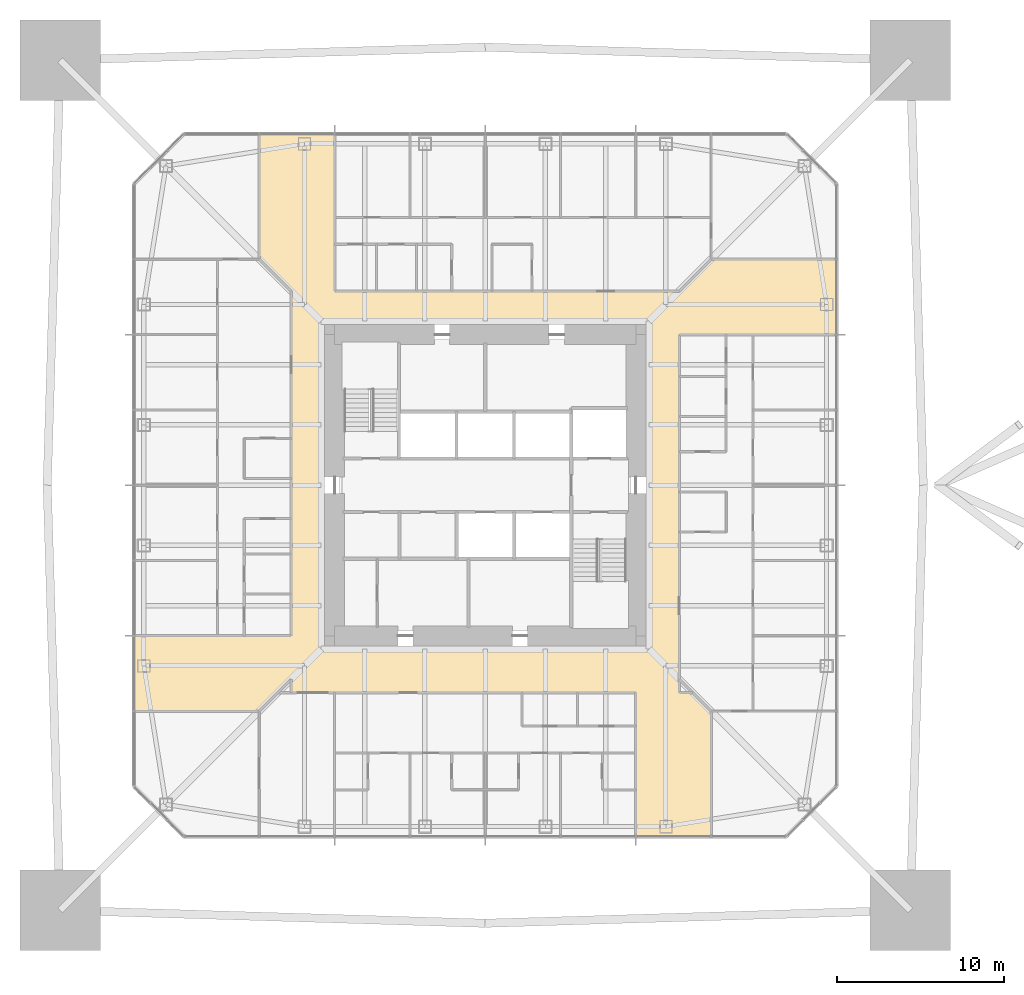
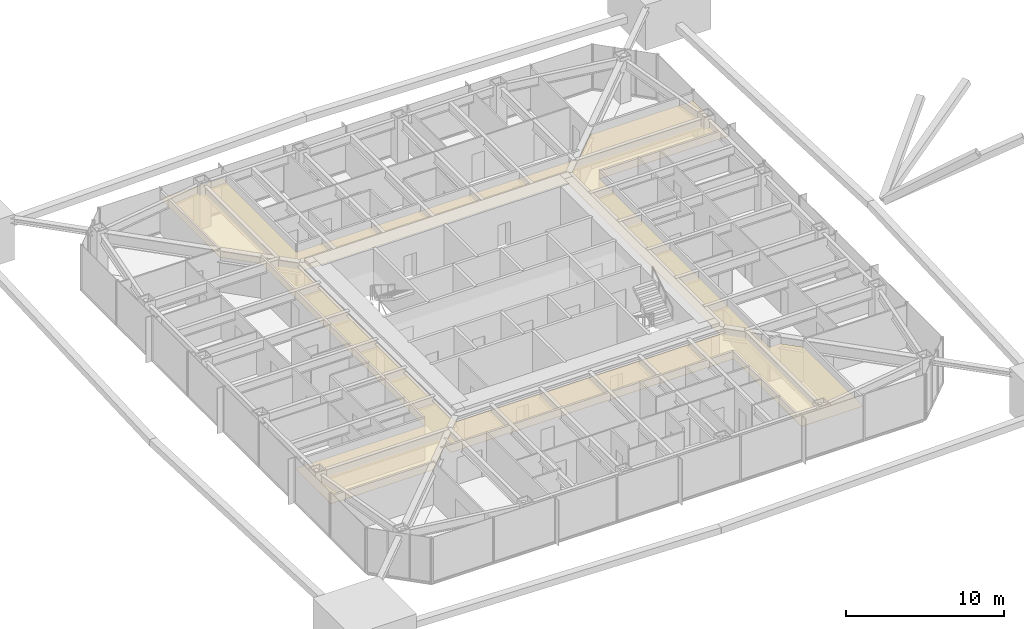
# One storey, part 24 of 27: 1 covering.
"""IFC4 building model written with IfcOpenShell, lengths in metres."""

import ifcopenshell
import ifcopenshell.guid

model = None  # the IFC model being written
_history = None  # IfcOwnerHistory: only IFC2X3 demands one
_inside = {}  # id of a spatial element -> (the spatial element, [elements in it])
_under = {}  # id of a project, library or spatial element -> (it, [spatial elements below it])
_declared = {}  # id of a project -> (the project, [libraries it declares])
_typed = {}  # id of a type object -> (the type object, [elements of that type])
_made_of = {}  # id of a material, layer set ... -> (it, [elements and type objects made of it])


def new_model(schema):
    """Start an empty IFC model of exactly this schema.

    Asked for "IFC4X3", IfcOpenShell would pick the latest addendum, in which some entities
    have other attributes; the version numbers below select the first issue.
    IFC2X3 requires an IfcOwnerHistory on every rooted entity: one is made here for all.
    """
    global model, _history
    if schema == "IFC4X3":
        model = ifcopenshell.file(schema_version=(4, 3, 0, 0))
    else:
        model = ifcopenshell.file(schema=schema)
    _inside.clear()
    _under.clear()
    _declared.clear()
    _typed.clear()
    _made_of.clear()
    _history = None
    if model.schema == "IFC2X3":
        org = make("IfcOrganization", Name="unknown")
        user = make(
            "IfcPersonAndOrganization",
            ThePerson=make("IfcPerson", FamilyName="unknown"),
            TheOrganization=org,
        )
        app = make(
            "IfcApplication",
            ApplicationDeveloper=org,
            Version="unknown",
            ApplicationFullName="unknown",
            ApplicationIdentifier="unknown",
        )
        _history = make(
            "IfcOwnerHistory",
            OwningUser=user,
            OwningApplication=app,
            ChangeAction="ADDED",
            CreationDate=0,
        )
    return model


def make(cls, **values):
    """One entity of the class cls with the attributes given. An attribute that is None is left unset."""
    return model.create_entity(
        cls, **{name: value for name, value in values.items() if value is not None}
    )


def rooted(cls, **values):
    """An entity with a GlobalId (a new one), such as an element, a storey or a relation."""
    return make(cls, GlobalId=ifcopenshell.guid.new(), OwnerHistory=_history, **values)


def si_unit(unit_type, name, prefix=None):
    """IfcSIUnit, for example si_unit("LENGTHUNIT", "METRE", prefix="MILLI")."""
    return make("IfcSIUnit", UnitType=unit_type, Prefix=prefix, Name=name)


def assignment(units):
    """IfcUnitAssignment: the units of a project."""
    return None if units is None else make("IfcUnitAssignment", Units=units)


def point(xyz):
    """IfcCartesianPoint."""
    return None if xyz is None else make("IfcCartesianPoint", Coordinates=xyz)


def direction(xyz):
    """IfcDirection."""
    return None if xyz is None else make("IfcDirection", DirectionRatios=xyz)


def frame(location, z_axis=None, x_axis=None):
    """IfcAxis2Placement3D, a coordinate frame: its origin and axes. An axis left out is left unset."""
    return make(
        "IfcAxis2Placement3D",
        Location=point(location),
        Axis=direction(z_axis),
        RefDirection=direction(x_axis),
    )


def origin():
    """The frame at (0, 0, 0) with its axes left unset."""
    return frame((0.0, 0.0, 0.0))


def place(relative_to, where):
    """IfcLocalPlacement: puts the frame where relative to a parent placement (None: the world)."""
    return make(
        "IfcLocalPlacement", PlacementRelTo=relative_to, RelativePlacement=where
    )


def context(
    kind, dimensions, precision=None, world=None, true_north=None, identifier=None
):
    """IfcGeometricRepresentationContext, for example the 3D "Model" context."""
    return make(
        "IfcGeometricRepresentationContext",
        ContextIdentifier=identifier,
        ContextType=kind,
        CoordinateSpaceDimension=dimensions,
        Precision=precision,
        WorldCoordinateSystem=world,
        TrueNorth=true_north,
    )


def subcontext(parent, identifier, kind, view, scale=None):
    """IfcGeometricRepresentationSubContext, for example "Body" below "Model"."""
    return make(
        "IfcGeometricRepresentationSubContext",
        ContextIdentifier=identifier,
        ContextType=kind,
        ParentContext=parent,
        TargetScale=scale,
        TargetView=view,
    )


def project(units=None, contexts=None):
    """IfcProject with its units and contexts."""
    return rooted(
        "IfcProject",
        Name="project",
        RepresentationContexts=contexts,
        UnitsInContext=assignment(units),
    )


def spatial(cls, under=None, at=None, **own):
    """A site, building, storey or space (cls), placed at a placement, below another one or the project."""
    s = rooted(cls, ObjectPlacement=at, **own)
    if under is not None:
        _under.setdefault(under.id(), (under, []))[1].append(s)
    return s


def polyline(points):
    """IfcPolyline through the points."""
    return make("IfcPolyline", Points=[point(p) for p in points])


def outline(outer, holes=None, kind="AREA"):
    """IfcArbitraryClosedProfileDef: a profile drawn as a closed curve; with holes, ...WithVoids."""
    if holes is None:
        return make("IfcArbitraryClosedProfileDef", ProfileType=kind, OuterCurve=outer)
    return make(
        "IfcArbitraryProfileDefWithVoids",
        ProfileType=kind,
        OuterCurve=outer,
        InnerCurves=holes,
    )


def extrude(swept, where, along, depth):
    """IfcExtrudedAreaSolid: the profile swept, set in the frame where, extruded along a direction by depth."""
    return make(
        "IfcExtrudedAreaSolid",
        SweptArea=swept,
        Position=where,
        ExtrudedDirection=direction(along),
        Depth=depth,
    )


def shape(context_of_items, identifier, shape_type, items):
    """IfcShapeRepresentation: the items that make up one representation, for example the "Body"."""
    return make(
        "IfcShapeRepresentation",
        ContextOfItems=context_of_items,
        RepresentationIdentifier=identifier,
        RepresentationType=shape_type,
        Items=items,
    )


def material(Name=None, Category=None):
    """IfcMaterial."""
    return make("IfcMaterial", Name=Name, Category=Category)


def layer(
    of_material, thickness, ventilated=None, Name=None, Category=None, Priority=None
):
    """IfcMaterialLayer: one layer of a wall or slab, of a material (None: an air gap)."""
    return make(
        "IfcMaterialLayer",
        Material=of_material,
        LayerThickness=thickness,
        IsVentilated=ventilated,
        Name=Name,
        Category=Category,
        Priority=Priority,
    )


def layer_set(layers, Name=None):
    """IfcMaterialLayerSet."""
    return make("IfcMaterialLayerSet", MaterialLayers=layers, LayerSetName=Name)


def made_of(thing, what):
    """Note that an element or type object is made of a material, layer set ...; save() writes the relation."""
    if what is not None:
        _made_of.setdefault(what.id(), (what, []))[1].append(thing)
    return thing


def type_object(cls, material=None, **own):
    """A type object (cls), such as IfcWallType, which elements share."""
    return made_of(rooted(cls, **own), material)


def element(
    cls,
    number,
    at=None,
    inside=None,
    cuts=None,
    type_object=None,
    material=None,
    context=None,
    identifier="Body",
    shape_type=None,
    held_by="IfcProductDefinitionShape",
    body=None,
    shapes=None,
    **own,
):
    """One element of the class cls, such as IfcWall. Its Tag is "e" and its number.

    at: its placement. inside: the storey or other place that contains it. cuts: it is an
    opening in that element (IfcRelVoidsElement). A single representation is given by context,
    identifier, shape_type and body (its items); several are given by shapes. held_by: the class
    of the entity that holds the representations. save() writes the other relations.
    """
    e = rooted(cls, Tag="e%d" % number, ObjectPlacement=at, **own)
    if body is not None:
        shapes = [shape(context, identifier, shape_type, body)]
    if shapes is not None:
        e.Representation = make(held_by, Representations=shapes)
    if inside is not None:
        _inside.setdefault(inside.id(), (inside, []))[1].append(e)
    if cuts is not None:
        rooted(
            "IfcRelVoidsElement", RelatingBuildingElement=cuts, RelatedOpeningElement=e
        )
    if type_object is not None:
        _typed.setdefault(type_object.id(), (type_object, []))[1].append(e)
    return made_of(e, material)


def aggregate(whole, parts):
    """IfcRelAggregates: a whole, such as a stair, and the parts it consists of."""
    return rooted("IfcRelAggregates", RelatingObject=whole, RelatedObjects=parts)


def save(model, path):
    """Write the relations noted so far, then the file.

    IfcRelAggregates (storeys below a building ...), IfcRelContainedInSpatialStructure (elements
    in a storey), IfcRelDefinesByType, IfcRelAssociatesMaterial and IfcRelDeclares: one each for
    every whole, place, type object, material and project.
    """
    for whole, parts in _under.values():
        aggregate(whole, parts)
    for where, things in _inside.values():
        rooted(
            "IfcRelContainedInSpatialStructure",
            RelatedElements=things,
            RelatingStructure=where,
        )
    for kind, things in _typed.values():
        rooted("IfcRelDefinesByType", RelatedObjects=things, RelatingType=kind)
    for what, things in _made_of.values():
        rooted("IfcRelAssociatesMaterial", RelatedObjects=things, RelatingMaterial=what)
    for by, libraries in _declared.values():
        rooted("IfcRelDeclares", RelatingContext=by, RelatedDefinitions=libraries)
    model.write(path)


model = new_model("IFC4")

# Units and contexts
model_context = context("Model", 3, precision=1e-05, world=origin(), true_north=direction((0.0, 1.0)))
body_context = subcontext(model_context, "Body", "Model", "MODEL_VIEW")
ifc_project = project(units=[si_unit("LENGTHUNIT", "METRE"), si_unit("AREAUNIT", "SQUARE_METRE"), si_unit("VOLUMEUNIT", "CUBIC_METRE"), si_unit("PLANEANGLEUNIT", "RADIAN"), si_unit("MASSUNIT", "GRAM", prefix="KILO")], contexts=[model_context])

# Site, building, storey
site_placement = place(None, origin())
site = spatial("IfcSite", under=ifc_project, at=site_placement, CompositionType="ELEMENT")
building_placement = place(site_placement, origin())
building = spatial("IfcBuilding", under=site, at=building_placement, Name="Iwan Alto Co-Living Towers", CompositionType="ELEMENT")
storey_placement = place(building_placement, frame((0.0, 0.0, 91.0)))
storey = spatial("IfcBuildingStorey", under=building, at=storey_placement, Name="L24", CompositionType="ELEMENT", Elevation=91.0)

# Covering
ifc_material = material(Name="Gypsum plasterboard on steel grid", Category="steel")
ifc_layer = layer(ifc_material, 0.014892578125)
ifc_layer_set = layer_set([ifc_layer], Name="SUSPENDED PLASTERBOARD CEILING 15")
covering_type = type_object("IfcCoveringType", Name="SUSPENDED PLASTERBOARD CEILING 15", PredefinedType="CEILING", material=ifc_layer_set)
covering_placement = place(storey_placement, frame((0.0, 0.0, 2.60009765625)))
element("IfcCovering", 1, at=covering_placement, inside=storey, type_object=covering_type, Name="Ceiling Corridor L24", PredefinedType="CEILING", context=body_context, shape_type="SweptSolid", body=[
    extrude(outline(polyline([(13.5, -21.0), (9.0, -21.0), (9.0, -12.39990234375), (-11.60009765625, -12.39990234375), (-11.60009765625, -11.60009765625), (-13.5, -13.5), (-21.0, -13.5), (-21.0, -9.0), (-11.60009765625, -9.0), (-11.60009765625, 11.60009765625), (-13.5, 13.5), (-13.5, 21.0), (-9.0, 21.0), (-9.0, 11.60009765625), (11.60009765625, 11.60009765625), (13.5, 13.5), (21.0, 13.5), (21.0, 9.0), (11.60009765625, 9.0), (11.60009765625, -12.39990234375), (12.39990234375, -12.39990234375), (13.5, -13.5), (13.5, -21.0)]), holes=[polyline([(9.60009765625, -9.60009765625), (9.60009765625, 9.60009765625), (-9.60009765625, 9.60009765625), (-9.60009765625, -9.60009765625), (9.60009765625, -9.60009765625)])]), origin(), (0.0, 0.0, 1.0), 0.014892578125),
])

save(model, "model.ifc")
